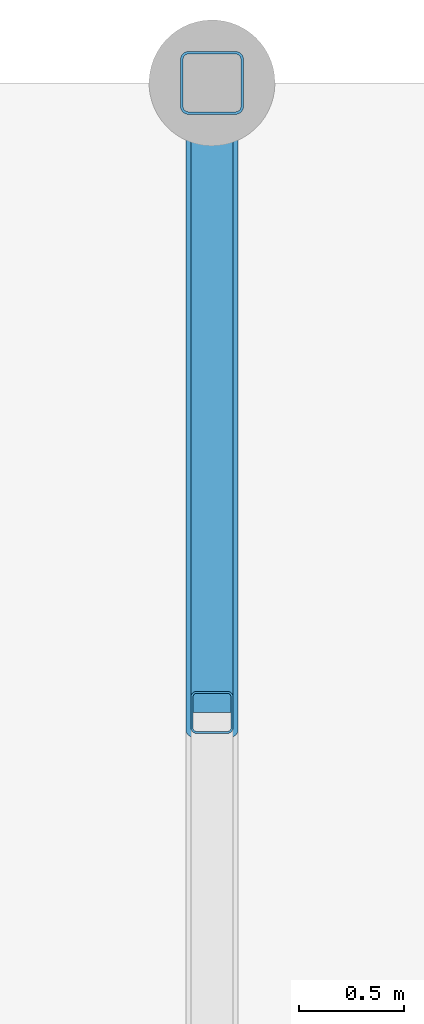
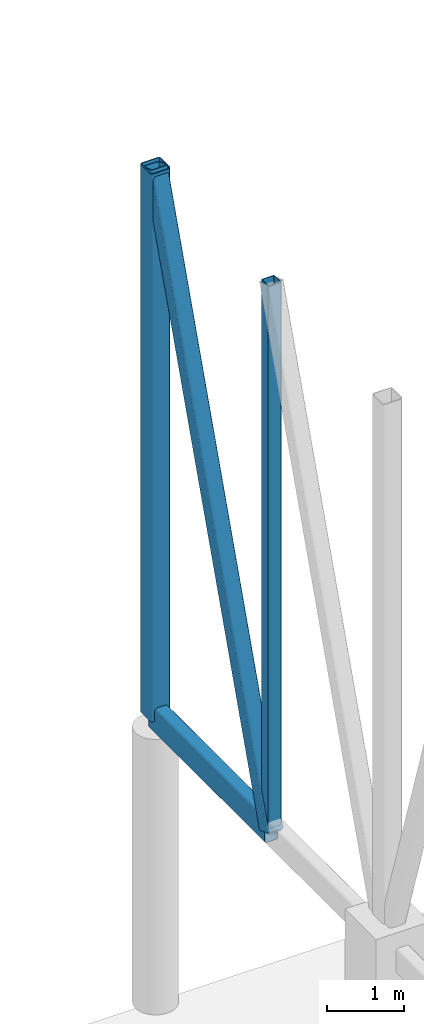
# One storey, part 10 of 101: 4 members.
"""IFC4 building model written with IfcOpenShell, lengths in metres."""

from ifc_helpers import new_model, si_unit, direction, frame, origin, origin_2d, place, context, subcontext, project, spatial, hollow_rectangle, extrude, material, material_profile, profile_set, type_object, element, save


model = new_model("IFC4")

# Units and contexts
model_context = context("Model", 3, precision=1e-05, world=origin(), true_north=direction((0.0, 1.0)))
body_context = subcontext(model_context, "Body", "Model", "MODEL_VIEW")
ifc_project = project(units=[si_unit("LENGTHUNIT", "METRE"), si_unit("AREAUNIT", "SQUARE_METRE"), si_unit("VOLUMEUNIT", "CUBIC_METRE"), si_unit("PLANEANGLEUNIT", "RADIAN"), si_unit("MASSUNIT", "GRAM", prefix="KILO")], contexts=[model_context])

# Site, building, storey
site_placement = place(None, origin())
site = spatial("IfcSite", under=ifc_project, at=site_placement, CompositionType="ELEMENT")
building_placement = place(site_placement, origin())
building = spatial("IfcBuilding", under=site, at=building_placement, Name="Almond Square Museum", CompositionType="ELEMENT")
storey_placement = place(building_placement, frame((0.0, 0.0, 5.5)))
storey = spatial("IfcBuildingStorey", under=building, at=storey_placement, Name="L01", CompositionType="ELEMENT", Elevation=5.5)

# Members
ifc_material_1 = material(Name="Structural steel S355", Category="steel")
ifc_material_profile_1 = material_profile(ifc_material_1, hollow_rectangle(XDim=0.199951171875, YDim=0.39990234375, WallThickness=0.012451171875, InnerFilletRadius=0.02490234375, OuterFilletRadius=0.03759765625, at=origin_2d()))
ifc_profile_set_1 = profile_set([ifc_material_profile_1], Name="Structural steel S355")
member_type_1 = type_object("IfcMemberType", Name="Truss chord RHS 400x200x12.5", PredefinedType="CHORD", material=ifc_profile_set_1)
member_1_placement = place(storey_placement, frame((39.60009765625, 112.199951171875, 4.550048828125), z_axis=(0.0, 1.0, 0.0), x_axis=(-1.0, 0.0, 0.0)))
element("IfcMember", 1, at=member_1_placement, inside=storey, type_object=member_type_1, Name="TR-16 bottom chord 8", PredefinedType="CHORD", context=body_context, shape_type="SweptSolid", body=[
    extrude(hollow_rectangle(XDim=0.199951171875, YDim=0.39990234375, WallThickness=0.012451171875, InnerFilletRadius=0.02490234375, OuterFilletRadius=0.03759765625, at=origin_2d()), origin(), (0.0, 0.0, 1.0), 3.0),
])
ifc_material_2 = material(Name="Structural steel S355", Category="steel")
ifc_material_profile_2 = material_profile(ifc_material_2, hollow_rectangle(XDim=0.25, YDim=0.25, WallThickness=0.012451171875, InnerFilletRadius=0.02490234375, OuterFilletRadius=0.03759765625, at=origin_2d()))
ifc_profile_set_2 = profile_set([ifc_material_profile_2], Name="Structural steel S355")
member_type_2 = type_object("IfcMemberType", Name="Truss diagonal SHS 250x250x12.5", PredefinedType="BRACE", material=ifc_profile_set_2)
member_2_placement = place(storey_placement, frame((39.60009765625, 112.199951171875, 4.550048828125), z_axis=(0.0, 0.327676522977, 0.944789974698), x_axis=(-1.0, 0.0, 0.0)))
element("IfcMember", 2, at=member_2_placement, inside=storey, type_object=member_type_2, Name="TR-16 diagonal 8", PredefinedType="BRACE", context=body_context, shape_type="SweptSolid", body=[
    extrude(hollow_rectangle(XDim=0.25, YDim=0.25, WallThickness=0.012451171875, InnerFilletRadius=0.02490234375, OuterFilletRadius=0.03759765625, at=origin_2d()), origin(), (0.0, 0.0, 1.0), 9.1552734375),
])
ifc_material_3 = material(Name="Structural steel S355", Category="steel")
ifc_material_profile_3 = material_profile(ifc_material_3, hollow_rectangle(XDim=0.199951171875, YDim=0.199951171875, WallThickness=0.010009765625, InnerFilletRadius=0.014892578125, OuterFilletRadius=0.02490234375, at=origin_2d()))
ifc_profile_set_3 = profile_set([ifc_material_profile_3], Name="Structural steel S355")
member_type_3 = type_object("IfcMemberType", Name="Truss post SHS 200x200x10", PredefinedType="POST", material=ifc_profile_set_3)
member_3_placement = place(storey_placement, frame((39.60009765625, 112.199951171875, 4.550048828125), z_axis=(0.0, 0.0, 1.0), x_axis=(1.0, 0.0, 0.0)))
element("IfcMember", 3, at=member_3_placement, inside=storey, type_object=member_type_3, Name="TR-16 post 8", PredefinedType="POST", context=body_context, shape_type="SweptSolid", body=[
    extrude(hollow_rectangle(XDim=0.199951171875, YDim=0.199951171875, WallThickness=0.010009765625, InnerFilletRadius=0.014892578125, OuterFilletRadius=0.02490234375, at=origin_2d()), origin(), (0.0, 0.0, 1.0), 8.64990234375),
])
ifc_material_4 = material(Name="Structural steel S355", Category="steel")
ifc_material_profile_4 = material_profile(ifc_material_4, hollow_rectangle(XDim=0.300048828125, YDim=0.300048828125, WallThickness=0.012451171875, InnerFilletRadius=0.02490234375, OuterFilletRadius=0.03759765625, at=origin_2d()))
ifc_profile_set_4 = profile_set([ifc_material_profile_4], Name="Structural steel S355")
member_type_4 = type_object("IfcMemberType", Name="Truss post SHS 300x300x12.5", PredefinedType="POST", material=ifc_profile_set_4)
member_4_placement = place(storey_placement, frame((39.60009765625, 115.199951171875, 4.550048828125), z_axis=(0.0, 0.0, 1.0), x_axis=(1.0, 0.0, 0.0)))
element("IfcMember", 4, at=member_4_placement, inside=storey, type_object=member_type_4, Name="TR-16 post 9", PredefinedType="POST", context=body_context, shape_type="SweptSolid", body=[
    extrude(hollow_rectangle(XDim=0.300048828125, YDim=0.300048828125, WallThickness=0.012451171875, InnerFilletRadius=0.02490234375, OuterFilletRadius=0.03759765625, at=origin_2d()), origin(), (0.0, 0.0, 1.0), 8.64990234375),
])

save(model, "model.ifc")
